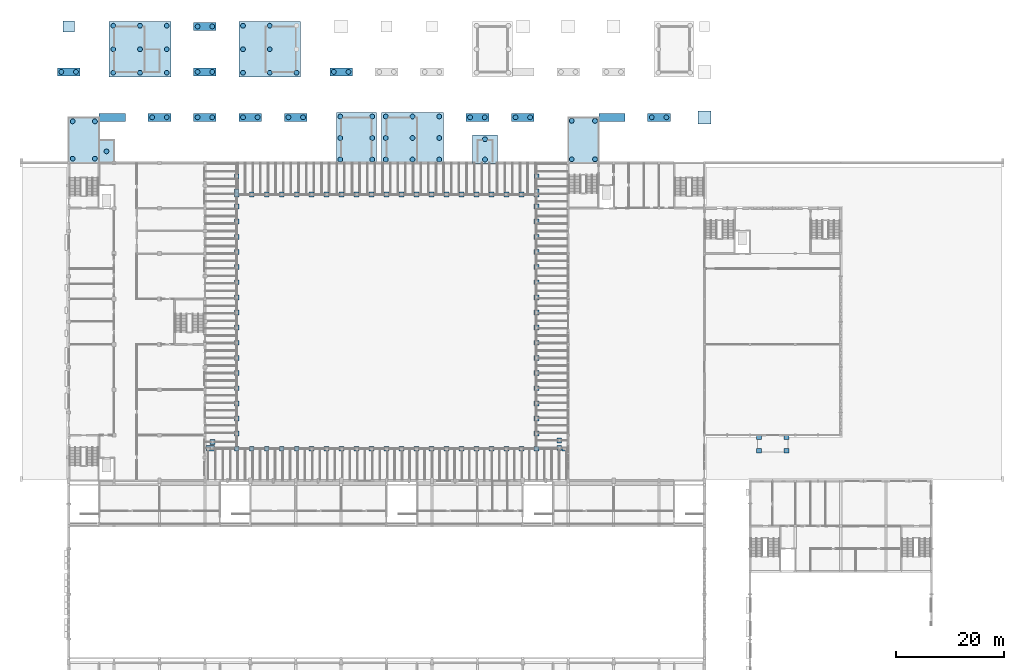
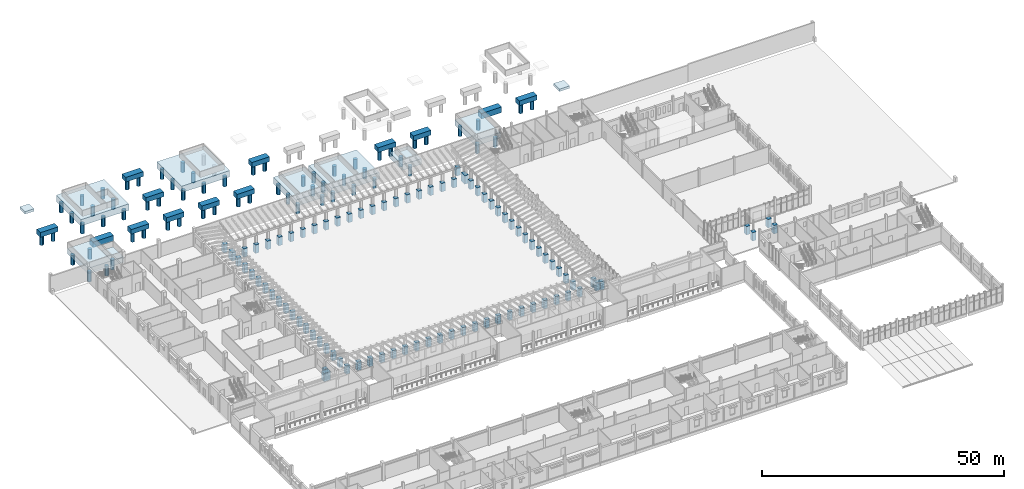
# One storey, part 1 of 60: 108 footings, 64 piles.
"""IFC4 building model written with IfcOpenShell, lengths in metres."""

import ifcopenshell
import ifcopenshell.guid

model = None  # the IFC model being written
_history = None  # IfcOwnerHistory: only IFC2X3 demands one
_inside = {}  # id of a spatial element -> (the spatial element, [elements in it])
_under = {}  # id of a project, library or spatial element -> (it, [spatial elements below it])
_declared = {}  # id of a project -> (the project, [libraries it declares])
_typed = {}  # id of a type object -> (the type object, [elements of that type])
_made_of = {}  # id of a material, layer set ... -> (it, [elements and type objects made of it])


def new_model(schema):
    """Start an empty IFC model of exactly this schema.

    Asked for "IFC4X3", IfcOpenShell would pick the latest addendum, in which some entities
    have other attributes; the version numbers below select the first issue.
    IFC2X3 requires an IfcOwnerHistory on every rooted entity: one is made here for all.
    """
    global model, _history
    if schema == "IFC4X3":
        model = ifcopenshell.file(schema_version=(4, 3, 0, 0))
    else:
        model = ifcopenshell.file(schema=schema)
    _inside.clear()
    _under.clear()
    _declared.clear()
    _typed.clear()
    _made_of.clear()
    _history = None
    if model.schema == "IFC2X3":
        org = make("IfcOrganization", Name="unknown")
        user = make(
            "IfcPersonAndOrganization",
            ThePerson=make("IfcPerson", FamilyName="unknown"),
            TheOrganization=org,
        )
        app = make(
            "IfcApplication",
            ApplicationDeveloper=org,
            Version="unknown",
            ApplicationFullName="unknown",
            ApplicationIdentifier="unknown",
        )
        _history = make(
            "IfcOwnerHistory",
            OwningUser=user,
            OwningApplication=app,
            ChangeAction="ADDED",
            CreationDate=0,
        )
    return model


def make(cls, **values):
    """One entity of the class cls with the attributes given. An attribute that is None is left unset."""
    return model.create_entity(
        cls, **{name: value for name, value in values.items() if value is not None}
    )


def rooted(cls, **values):
    """An entity with a GlobalId (a new one), such as an element, a storey or a relation."""
    return make(cls, GlobalId=ifcopenshell.guid.new(), OwnerHistory=_history, **values)


def si_unit(unit_type, name, prefix=None):
    """IfcSIUnit, for example si_unit("LENGTHUNIT", "METRE", prefix="MILLI")."""
    return make("IfcSIUnit", UnitType=unit_type, Prefix=prefix, Name=name)


def assignment(units):
    """IfcUnitAssignment: the units of a project."""
    return None if units is None else make("IfcUnitAssignment", Units=units)


def point(xyz):
    """IfcCartesianPoint."""
    return None if xyz is None else make("IfcCartesianPoint", Coordinates=xyz)


def direction(xyz):
    """IfcDirection."""
    return None if xyz is None else make("IfcDirection", DirectionRatios=xyz)


def frame(location, z_axis=None, x_axis=None):
    """IfcAxis2Placement3D, a coordinate frame: its origin and axes. An axis left out is left unset."""
    return make(
        "IfcAxis2Placement3D",
        Location=point(location),
        Axis=direction(z_axis),
        RefDirection=direction(x_axis),
    )


def frame_2d(location, x_axis=None):
    """IfcAxis2Placement2D, a coordinate frame in the plane: its origin and x axis."""
    return make(
        "IfcAxis2Placement2D", Location=point(location), RefDirection=direction(x_axis)
    )


def origin():
    """The frame at (0, 0, 0) with its axes left unset."""
    return frame((0.0, 0.0, 0.0))


def origin_2d():
    """The frame at (0, 0) in the plane with its x axis left unset."""
    return frame_2d((0.0, 0.0))


def place(relative_to, where):
    """IfcLocalPlacement: puts the frame where relative to a parent placement (None: the world)."""
    return make(
        "IfcLocalPlacement", PlacementRelTo=relative_to, RelativePlacement=where
    )


def context(
    kind, dimensions, precision=None, world=None, true_north=None, identifier=None
):
    """IfcGeometricRepresentationContext, for example the 3D "Model" context."""
    return make(
        "IfcGeometricRepresentationContext",
        ContextIdentifier=identifier,
        ContextType=kind,
        CoordinateSpaceDimension=dimensions,
        Precision=precision,
        WorldCoordinateSystem=world,
        TrueNorth=true_north,
    )


def subcontext(parent, identifier, kind, view, scale=None):
    """IfcGeometricRepresentationSubContext, for example "Body" below "Model"."""
    return make(
        "IfcGeometricRepresentationSubContext",
        ContextIdentifier=identifier,
        ContextType=kind,
        ParentContext=parent,
        TargetScale=scale,
        TargetView=view,
    )


def project(units=None, contexts=None):
    """IfcProject with its units and contexts."""
    return rooted(
        "IfcProject",
        Name="project",
        RepresentationContexts=contexts,
        UnitsInContext=assignment(units),
    )


def spatial(cls, under=None, at=None, **own):
    """A site, building, storey or space (cls), placed at a placement, below another one or the project."""
    s = rooted(cls, ObjectPlacement=at, **own)
    if under is not None:
        _under.setdefault(under.id(), (under, []))[1].append(s)
    return s


def polyline(points):
    """IfcPolyline through the points."""
    return make("IfcPolyline", Points=[point(p) for p in points])


def profile(cls, at=None, kind="AREA", **sizes):
    """A parametric profile (cls). Its sizes go by their IFC names, for example OverallWidth=200.0."""
    return make(cls, ProfileType=kind, Position=at, **sizes)


def rectangle(**sizes):
    """IfcRectangleProfileDef."""
    return profile("IfcRectangleProfileDef", **sizes)


def circle(**sizes):
    """IfcCircleProfileDef."""
    return profile("IfcCircleProfileDef", **sizes)


def outline(outer, holes=None, kind="AREA"):
    """IfcArbitraryClosedProfileDef: a profile drawn as a closed curve; with holes, ...WithVoids."""
    if holes is None:
        return make("IfcArbitraryClosedProfileDef", ProfileType=kind, OuterCurve=outer)
    return make(
        "IfcArbitraryProfileDefWithVoids",
        ProfileType=kind,
        OuterCurve=outer,
        InnerCurves=holes,
    )


def extrude(swept, where, along, depth):
    """IfcExtrudedAreaSolid: the profile swept, set in the frame where, extruded along a direction by depth."""
    return make(
        "IfcExtrudedAreaSolid",
        SweptArea=swept,
        Position=where,
        ExtrudedDirection=direction(along),
        Depth=depth,
    )


def shape(context_of_items, identifier, shape_type, items):
    """IfcShapeRepresentation: the items that make up one representation, for example the "Body"."""
    return make(
        "IfcShapeRepresentation",
        ContextOfItems=context_of_items,
        RepresentationIdentifier=identifier,
        RepresentationType=shape_type,
        Items=items,
    )


def material(Name=None, Category=None):
    """IfcMaterial."""
    return make("IfcMaterial", Name=Name, Category=Category)


def material_profile(
    of_material, cross_section, Name=None, Category=None, Priority=None
):
    """IfcMaterialProfile: a cross section and its material."""
    return make(
        "IfcMaterialProfile",
        Name=Name,
        Material=of_material,
        Profile=cross_section,
        Priority=Priority,
        Category=Category,
    )


def profile_set(profiles, Name=None, composite=None):
    """IfcMaterialProfileSet."""
    return make(
        "IfcMaterialProfileSet",
        Name=Name,
        MaterialProfiles=profiles,
        CompositeProfile=composite,
    )


def made_of(thing, what):
    """Note that an element or type object is made of a material, layer set ...; save() writes the relation."""
    if what is not None:
        _made_of.setdefault(what.id(), (what, []))[1].append(thing)
    return thing


def type_object(cls, material=None, **own):
    """A type object (cls), such as IfcWallType, which elements share."""
    return made_of(rooted(cls, **own), material)


def element(
    cls,
    number,
    at=None,
    inside=None,
    cuts=None,
    type_object=None,
    material=None,
    context=None,
    identifier="Body",
    shape_type=None,
    held_by="IfcProductDefinitionShape",
    body=None,
    shapes=None,
    **own,
):
    """One element of the class cls, such as IfcWall. Its Tag is "e" and its number.

    at: its placement. inside: the storey or other place that contains it. cuts: it is an
    opening in that element (IfcRelVoidsElement). A single representation is given by context,
    identifier, shape_type and body (its items); several are given by shapes. held_by: the class
    of the entity that holds the representations. save() writes the other relations.
    """
    e = rooted(cls, Tag="e%d" % number, ObjectPlacement=at, **own)
    if body is not None:
        shapes = [shape(context, identifier, shape_type, body)]
    if shapes is not None:
        e.Representation = make(held_by, Representations=shapes)
    if inside is not None:
        _inside.setdefault(inside.id(), (inside, []))[1].append(e)
    if cuts is not None:
        rooted(
            "IfcRelVoidsElement", RelatingBuildingElement=cuts, RelatedOpeningElement=e
        )
    if type_object is not None:
        _typed.setdefault(type_object.id(), (type_object, []))[1].append(e)
    return made_of(e, material)


def aggregate(whole, parts):
    """IfcRelAggregates: a whole, such as a stair, and the parts it consists of."""
    return rooted("IfcRelAggregates", RelatingObject=whole, RelatedObjects=parts)


def save(model, path):
    """Write the relations noted so far, then the file.

    IfcRelAggregates (storeys below a building ...), IfcRelContainedInSpatialStructure (elements
    in a storey), IfcRelDefinesByType, IfcRelAssociatesMaterial and IfcRelDeclares: one each for
    every whole, place, type object, material and project.
    """
    for whole, parts in _under.values():
        aggregate(whole, parts)
    for where, things in _inside.values():
        rooted(
            "IfcRelContainedInSpatialStructure",
            RelatedElements=things,
            RelatingStructure=where,
        )
    for kind, things in _typed.values():
        rooted("IfcRelDefinesByType", RelatedObjects=things, RelatingType=kind)
    for what, things in _made_of.values():
        rooted("IfcRelAssociatesMaterial", RelatedObjects=things, RelatingMaterial=what)
    for by, libraries in _declared.values():
        rooted("IfcRelDeclares", RelatingContext=by, RelatedDefinitions=libraries)
    model.write(path)


model = new_model("IFC4")

# Units and contexts
model_context = context("Model", 3, precision=1e-05, world=origin(), true_north=direction((0.0, 1.0)))
body_context = subcontext(model_context, "Body", "Model", "MODEL_VIEW")
ifc_project = project(units=[si_unit("LENGTHUNIT", "METRE"), si_unit("AREAUNIT", "SQUARE_METRE"), si_unit("VOLUMEUNIT", "CUBIC_METRE"), si_unit("PLANEANGLEUNIT", "RADIAN"), si_unit("MASSUNIT", "GRAM", prefix="KILO")], contexts=[model_context])

# Site, building, storey
site_placement = place(None, origin())
site = spatial("IfcSite", under=ifc_project, at=site_placement, CompositionType="ELEMENT")
building_placement = place(site_placement, origin())
building = spatial("IfcBuilding", under=site, at=building_placement, Name="Fescue Hill Polytechnic", CompositionType="ELEMENT")
storey_placement = place(building_placement, frame((0.0, 0.0, 4.5)))
storey = spatial("IfcBuildingStorey", under=building, at=storey_placement, Name="L01", CompositionType="ELEMENT", Elevation=4.5)

# Piles
ifc_material = material(Name="Concrete 35 MPa", Category="concrete")
ifc_material_profile = material_profile(ifc_material, circle(Radius=0.449951171875, at=origin_2d()), Name="Bored pile 900")
ifc_profile_set = profile_set([ifc_material_profile], Name="Concrete 35 MPa")
pile_type = type_object("IfcPileType", Name="Bored pile 900", PredefinedType="BORED", material=ifc_profile_set)
for number, where, z_axis, x_axis, name in (
    (1, (-1.35009765625, 126.0, 1.89990234375), (0.0, 0.0, -1.0), (1.0, 0.0, 0.0), "PL-L01-001-01"),
    (2, (1.35009765625, 126.0, 1.89990234375), (0.0, 0.0, -1.0), (1.0, 0.0, 0.0), "PL-L01-001-02"),
    (3, (0.75, 109.949951171875, 1.699951171875), (0.0, 0.0, -1.0), (1.0, 0.0, 0.0), "PL-L01-003-01"),
    (4, (4.85009765625, 109.949951171875, 1.699951171875), (0.0, 0.0, -1.0), (1.0, 0.0, 0.0), "PL-L01-003-02"),
    (5, (0.75, 116.85009765625, 1.699951171875), (0.0, 0.0, -1.0), (1.0, 0.0, 0.0), "PL-L01-003-03"),
    (6, (4.85009765625, 116.85009765625, 1.699951171875), (0.0, 0.0, -1.0), (1.0, 0.0, 0.0), "PL-L01-003-04"),
    (7, (7.0, 111.300048828125, 1.699951171875), (0.0, 0.0, -1.0), (1.0, 0.0, 0.0), "PL-L01-004-01"),
    (8, (8.25, 125.85009765625, 1.5), (0.0, 0.0, -1.0), (1.0, 0.0, 0.0), "PL-L01-006-01"),
    (9, (13.199951171875, 125.85009765625, 1.5), (0.0, 0.0, -1.0), (1.0, 0.0, 0.0), "PL-L01-006-02"),
    (10, (18.14990234375, 125.85009765625, 1.5), (0.0, 0.0, -1.0), (1.0, 0.0, 0.0), "PL-L01-006-03"),
    (11, (8.25, 130.199951171875, 1.5), (0.0, 0.0, -1.0), (1.0, 0.0, 0.0), "PL-L01-006-04"),
    (12, (13.199951171875, 130.199951171875, 1.5), (0.0, 0.0, -1.0), (1.0, 0.0, 0.0), "PL-L01-006-05"),
    (13, (18.14990234375, 130.199951171875, 1.5), (0.0, 0.0, -1.0), (1.0, 0.0, 0.0), "PL-L01-006-06"),
    (14, (8.25, 134.550048828125, 1.5), (0.0, 0.0, -1.0), (1.0, 0.0, 0.0), "PL-L01-006-07"),
    (15, (13.199951171875, 134.550048828125, 1.5), (0.0, 0.0, -1.0), (1.0, 0.0, 0.0), "PL-L01-006-08"),
    (16, (18.14990234375, 134.550048828125, 1.5), (0.0, 0.0, -1.0), (1.0, 0.0, 0.0), "PL-L01-006-09"),
    (17, (15.449951171875, 117.60009765625, 1.89990234375), (0.0, 0.0, -1.0), (1.0, 0.0, 0.0), "PL-L01-007-01"),
    (18, (18.14990234375, 117.60009765625, 1.89990234375), (0.0, 0.0, -1.0), (1.0, 0.0, 0.0), "PL-L01-007-02"),
    (19, (23.85009765625, 117.60009765625, 1.89990234375), (0.0, 0.0, -1.0), (1.0, 0.0, 0.0), "PL-L01-008-01"),
    (20, (26.550048828125, 117.60009765625, 1.89990234375), (0.0, 0.0, -1.0), (1.0, 0.0, 0.0), "PL-L01-008-02"),
    (21, (23.85009765625, 126.0, 1.89990234375), (0.0, 0.0, -1.0), (1.0, 0.0, 0.0), "PL-L01-009-01"),
    (22, (26.550048828125, 126.0, 1.89990234375), (0.0, 0.0, -1.0), (1.0, 0.0, 0.0), "PL-L01-009-02"),
    (23, (23.85009765625, 134.39990234375, 1.89990234375), (0.0, 0.0, -1.0), (1.0, 0.0, 0.0), "PL-L01-010-01"),
    (24, (26.550048828125, 134.39990234375, 1.89990234375), (0.0, 0.0, -1.0), (1.0, 0.0, 0.0), "PL-L01-010-02"),
    (25, (32.25, 117.60009765625, 1.89990234375), (0.0, 0.0, -1.0), (1.0, 0.0, 0.0), "PL-L01-011-01"),
    (26, (34.949951171875, 117.60009765625, 1.89990234375), (0.0, 0.0, -1.0), (1.0, 0.0, 0.0), "PL-L01-011-02"),
    (27, (32.25, 125.85009765625, 1.5), (0.0, 0.0, -1.0), (1.0, 0.0, 0.0), "PL-L01-012-01"),
    (28, (37.199951171875, 125.85009765625, 1.5), (0.0, 0.0, -1.0), (1.0, 0.0, 0.0), "PL-L01-012-02"),
    (29, (42.14990234375, 125.85009765625, 1.5), (0.0, 0.0, -1.0), (1.0, 0.0, 0.0), "PL-L01-012-03"),
    (30, (32.25, 130.199951171875, 1.5), (0.0, 0.0, -1.0), (1.0, 0.0, 0.0), "PL-L01-012-04"),
    (31, (37.199951171875, 130.199951171875, 1.5), (0.0, 0.0, -1.0), (1.0, 0.0, 0.0), "PL-L01-012-05"),
    (32, (32.25, 134.550048828125, 1.5), (0.0, 0.0, -1.0), (1.0, 0.0, 0.0), "PL-L01-012-07"),
    (33, (37.199951171875, 134.550048828125, 1.5), (0.0, 0.0, -1.0), (1.0, 0.0, 0.0), "PL-L01-012-08"),
    (34, (40.64990234375, 117.60009765625, 1.89990234375), (0.0, 0.0, -1.0), (1.0, 0.0, 0.0), "PL-L01-013-01"),
    (35, (43.35009765625, 117.60009765625, 1.89990234375), (0.0, 0.0, -1.0), (1.0, 0.0, 0.0), "PL-L01-013-02"),
    (36, (49.050048828125, 126.0, 1.89990234375), (0.0, 0.0, -1.0), (1.0, 0.0, 0.0), "PL-L01-014-01"),
    (37, (51.75, 126.0, 1.89990234375), (0.0, 0.0, -1.0), (1.0, 0.0, 0.0), "PL-L01-014-02"),
    (38, (50.25, 109.800048828125, 1.5), (0.0, 0.0, -1.0), (1.0, 0.0, 0.0), "PL-L01-016-01"),
    (39, (56.14990234375, 109.800048828125, 1.5), (0.0, 0.0, -1.0), (1.0, 0.0, 0.0), "PL-L01-016-02"),
    (40, (50.25, 113.77490234375, 1.5), (0.0, 0.0, -1.0), (1.0, 0.0, 0.0), "PL-L01-016-03"),
    (41, (56.14990234375, 113.77490234375, 1.5), (0.0, 0.0, -1.0), (1.0, 0.0, 0.0), "PL-L01-016-04"),
    (42, (50.25, 117.75, 1.5), (0.0, 0.0, -1.0), (1.0, 0.0, 0.0), "PL-L01-016-05"),
    (43, (56.14990234375, 117.75, 1.5), (0.0, 0.0, -1.0), (1.0, 0.0, 0.0), "PL-L01-016-06"),
    (44, (58.64990234375, 109.800048828125, 1.5), (0.0, 0.0, -1.0), (1.0, 0.0, 0.0), "PL-L01-019-01"),
    (45, (63.60009765625, 109.800048828125, 1.5), (0.0, 0.0, -1.0), (1.0, 0.0, 0.0), "PL-L01-019-02"),
    (46, (68.550048828125, 109.800048828125, 1.5), (0.0, 0.0, -1.0), (1.0, 0.0, 0.0), "PL-L01-019-03"),
    (47, (58.64990234375, 113.77490234375, 1.5), (0.0, 0.0, -1.0), (1.0, 0.0, 0.0), "PL-L01-019-04"),
    (48, (63.60009765625, 113.77490234375, 1.5), (0.0, 0.0, -1.0), (1.0, 0.0, 0.0), "PL-L01-019-05"),
    (49, (68.550048828125, 113.77490234375, 1.5), (0.0, 0.0, -1.0), (1.0, 0.0, 0.0), "PL-L01-019-06"),
    (50, (58.64990234375, 117.75, 1.5), (0.0, 0.0, -1.0), (1.0, 0.0, 0.0), "PL-L01-019-07"),
    (51, (63.60009765625, 117.75, 1.5), (0.0, 0.0, -1.0), (1.0, 0.0, 0.0), "PL-L01-019-08"),
    (52, (68.550048828125, 117.75, 1.5), (0.0, 0.0, -1.0), (1.0, 0.0, 0.0), "PL-L01-019-09"),
    (53, (74.25, 117.60009765625, 1.89990234375), (0.0, 0.0, -1.0), (1.0, 0.0, 0.0), "PL-L01-022-01"),
    (54, (76.949951171875, 117.60009765625, 1.89990234375), (0.0, 0.0, -1.0), (1.0, 0.0, 0.0), "PL-L01-022-02"),
    (55, (77.0, 109.800048828125, 1.699951171875), (0.0, 0.0, -1.0), (1.0, 0.0, 0.0), "PL-L01-023-01"),
    (56, (77.0, 113.550048828125, 1.699951171875), (0.0, 0.0, -1.0), (1.0, 0.0, 0.0), "PL-L01-023-02"),
    (57, (82.64990234375, 117.60009765625, 1.89990234375), (0.0, 0.0, -1.0), (1.0, 0.0, 0.0), "PL-L01-025-01"),
    (58, (85.35009765625, 117.60009765625, 1.89990234375), (0.0, 0.0, -1.0), (1.0, 0.0, 0.0), "PL-L01-025-02"),
    (59, (93.050048828125, 109.85009765625, 1.699951171875), (0.0, 0.0, -1.0), (1.0, 0.0, 0.0), "PL-L01-030-01"),
    (60, (97.35009765625, 109.85009765625, 1.699951171875), (0.0, 0.0, -1.0), (1.0, 0.0, 0.0), "PL-L01-030-02"),
    (61, (93.050048828125, 116.949951171875, 1.699951171875), (0.0, 0.0, -1.0), (1.0, 0.0, 0.0), "PL-L01-030-03"),
    (62, (97.35009765625, 116.949951171875, 1.699951171875), (0.0, 0.0, -1.0), (1.0, 0.0, 0.0), "PL-L01-030-04"),
    (63, (107.85009765625, 117.60009765625, 1.89990234375), (0.0, 0.0, -1.0), (1.0, 0.0, 0.0), "PL-L01-034-01"),
    (64, (110.550048828125, 117.60009765625, 1.89990234375), (0.0, 0.0, -1.0), (1.0, 0.0, 0.0), "PL-L01-034-02"),
):
    element("IfcPile", number, at=place(storey_placement, frame(where, z_axis=z_axis, x_axis=x_axis)), inside=storey, type_object=pile_type, Name=name, PredefinedType="BORED", context=body_context, shape_type="SweptSolid", body=[
        extrude(circle(Radius=0.449951171875, at=origin_2d()), origin(), (0.0, 0.0, 1.0), 2.5),
    ])

# Footings
footing_type_1 = type_object("IfcFootingType", Name="Canopy pad footing 900x900x2100", PredefinedType="PAD_FOOTING", material=ifc_material)
for number, where, z_axis, x_axis, name in (
    (65, (127.64990234375, 58.43994140625, -2.10009765625), (0.0, 0.0, 1.0), (1.0, 0.0, 0.0), "Canopy pad footing V2"),
    (66, (127.64990234375, 55.93994140625, -2.10009765625), (0.0, 0.0, 1.0), (1.0, 0.0, 0.0), "Canopy pad footing V2"),
    (67, (132.75, 58.43994140625, -2.10009765625), (0.0, 0.0, 1.0), (1.0, 0.0, 0.0), "Canopy pad footing V2"),
    (68, (132.75, 55.93994140625, -2.10009765625), (0.0, 0.0, 1.0), (1.0, 0.0, 0.0), "Canopy pad footing V2"),
):
    element("IfcFooting", number, at=place(storey_placement, frame(where, z_axis=z_axis, x_axis=x_axis)), inside=storey, type_object=footing_type_1, Name=name, PredefinedType="PAD_FOOTING", context=body_context, shape_type="SweptSolid", body=[
        extrude(rectangle(XDim=0.89990234375, YDim=0.89990234375, at=origin_2d()), origin(), (0.0, 0.0, 1.0), 2.10009765625),
    ])
footing_type_2 = type_object("IfcFootingType", Name="Pad footing 2100x2100x600", PredefinedType="PAD_FOOTING", material=ifc_material)
footing_1_placement = place(storey_placement, frame((0.0, 0.0, 2.39990234375)))
element("IfcFooting", 69, at=footing_1_placement, inside=storey, type_object=footing_type_2, Name="FT-L01-002", PredefinedType="PAD_FOOTING", context=body_context, shape_type="SweptSolid", body=[
    extrude(outline(polyline([(1.050048828125, 133.35009765625), (1.050048828125, 135.449951171875), (-1.050048828125, 135.449951171875), (-1.050048828125, 133.35009765625), (1.050048828125, 133.35009765625)])), origin(), (0.0, 0.0, 1.0), 0.60009765625),
])
footing_type_3 = type_object("IfcFootingType", Name="Pad footing 2400x2400x600", PredefinedType="PAD_FOOTING", material=ifc_material)
footing_2_placement = place(storey_placement, frame((0.0, 0.0, 2.39990234375)))
element("IfcFooting", 70, at=footing_2_placement, inside=storey, type_object=footing_type_3, Name="FT-L01-036", PredefinedType="PAD_FOOTING", context=body_context, shape_type="SweptSolid", body=[
    extrude(outline(polyline([(118.800048828125, 116.39990234375), (118.800048828125, 118.800048828125), (116.39990234375, 118.800048828125), (116.39990234375, 116.39990234375), (118.800048828125, 116.39990234375)])), origin(), (0.0, 0.0, 1.0), 0.60009765625),
])
footing_type_4 = type_object("IfcFootingType", Name="Pile cap 11400x10200x1600 on 9 piles", PredefinedType="PILE_CAP", material=ifc_material)
footing_3_placement = place(storey_placement, frame((0.0, 0.0, 1.39990234375)))
element("IfcFooting", 71, at=footing_3_placement, inside=storey, type_object=footing_type_4, Name="FT-L01-006", PredefinedType="PILE_CAP", context=body_context, shape_type="SweptSolid", body=[
    extrude(outline(polyline([(18.89990234375, 125.10009765625), (18.89990234375, 135.300048828125), (7.5, 135.300048828125), (7.5, 125.10009765625), (18.89990234375, 125.10009765625)])), origin(), (0.0, 0.0, 1.0), 1.60009765625),
])
footing_4_placement = place(storey_placement, frame((0.0, 0.0, 1.39990234375)))
element("IfcFooting", 72, at=footing_4_placement, inside=storey, type_object=footing_type_4, Name="FT-L01-012", PredefinedType="PILE_CAP", context=body_context, shape_type="SweptSolid", body=[
    extrude(outline(polyline([(42.89990234375, 125.10009765625), (42.89990234375, 135.300048828125), (31.5, 135.300048828125), (31.5, 125.10009765625), (42.89990234375, 125.10009765625)])), origin(), (0.0, 0.0, 1.0), 1.60009765625),
])
footing_type_5 = type_object("IfcFootingType", Name="Pile cap 11400x9450x1600 on 9 piles", PredefinedType="PILE_CAP", material=ifc_material)
footing_5_placement = place(storey_placement, frame((0.0, 0.0, 1.39990234375)))
element("IfcFooting", 73, at=footing_5_placement, inside=storey, type_object=footing_type_5, Name="FT-L01-019", PredefinedType="PILE_CAP", context=body_context, shape_type="SweptSolid", body=[
    extrude(outline(polyline([(69.300048828125, 109.050048828125), (69.300048828125, 118.5), (57.89990234375, 118.5), (57.89990234375, 109.050048828125), (69.300048828125, 109.050048828125)])), origin(), (0.0, 0.0, 1.0), 1.60009765625),
])
footing_type_6 = type_object("IfcFootingType", Name="Pile cap 2800x4200x1400 on 1 piles", PredefinedType="PILE_CAP", material=ifc_material)
footing_6_placement = place(storey_placement, frame((0.0, 0.0, 1.60009765625)))
element("IfcFooting", 74, at=footing_6_placement, inside=storey, type_object=footing_type_6, Name="FT-L01-004", PredefinedType="PILE_CAP", context=body_context, shape_type="SweptSolid", body=[
    extrude(outline(polyline([(8.39990234375, 109.199951171875), (8.39990234375, 113.39990234375), (5.60009765625, 113.39990234375), (5.60009765625, 109.199951171875), (8.39990234375, 109.199951171875)])), origin(), (0.0, 0.0, 1.0), 1.39990234375),
])
footing_type_7 = type_object("IfcFootingType", Name="Pile cap 4200x1500x1200 on 2 piles", PredefinedType="PILE_CAP", material=ifc_material)
footing_7_placement = place(storey_placement, frame((0.0, 0.0, 1.800048828125)))
element("IfcFooting", 75, at=footing_7_placement, inside=storey, type_object=footing_type_7, Name="FT-L01-001", PredefinedType="PILE_CAP", context=body_context, shape_type="SweptSolid", body=[
    extrude(outline(polyline([(2.10009765625, 125.25), (2.10009765625, 126.75), (-2.10009765625, 126.75), (-2.10009765625, 125.25), (2.10009765625, 125.25)])), origin(), (0.0, 0.0, 1.0), 1.199951171875),
])
footing_8_placement = place(storey_placement, frame((0.0, 0.0, 1.800048828125)))
element("IfcFooting", 76, at=footing_8_placement, inside=storey, type_object=footing_type_7, Name="FT-L01-007", PredefinedType="PILE_CAP", context=body_context, shape_type="SweptSolid", body=[
    extrude(outline(polyline([(18.89990234375, 116.85009765625), (18.89990234375, 118.35009765625), (14.699951171875, 118.35009765625), (14.699951171875, 116.85009765625), (18.89990234375, 116.85009765625)])), origin(), (0.0, 0.0, 1.0), 1.199951171875),
])
footing_9_placement = place(storey_placement, frame((0.0, 0.0, 1.800048828125)))
element("IfcFooting", 77, at=footing_9_placement, inside=storey, type_object=footing_type_7, Name="FT-L01-008", PredefinedType="PILE_CAP", context=body_context, shape_type="SweptSolid", body=[
    extrude(outline(polyline([(27.300048828125, 116.85009765625), (27.300048828125, 118.35009765625), (23.10009765625, 118.35009765625), (23.10009765625, 116.85009765625), (27.300048828125, 116.85009765625)])), origin(), (0.0, 0.0, 1.0), 1.199951171875),
])
footing_10_placement = place(storey_placement, frame((0.0, 0.0, 1.800048828125)))
element("IfcFooting", 78, at=footing_10_placement, inside=storey, type_object=footing_type_7, Name="FT-L01-009", PredefinedType="PILE_CAP", context=body_context, shape_type="SweptSolid", body=[
    extrude(outline(polyline([(27.300048828125, 125.25), (27.300048828125, 126.75), (23.10009765625, 126.75), (23.10009765625, 125.25), (27.300048828125, 125.25)])), origin(), (0.0, 0.0, 1.0), 1.199951171875),
])
footing_11_placement = place(storey_placement, frame((0.0, 0.0, 1.800048828125)))
element("IfcFooting", 79, at=footing_11_placement, inside=storey, type_object=footing_type_7, Name="FT-L01-010", PredefinedType="PILE_CAP", context=body_context, shape_type="SweptSolid", body=[
    extrude(outline(polyline([(27.300048828125, 133.64990234375), (27.300048828125, 135.14990234375), (23.10009765625, 135.14990234375), (23.10009765625, 133.64990234375), (27.300048828125, 133.64990234375)])), origin(), (0.0, 0.0, 1.0), 1.199951171875),
])
footing_12_placement = place(storey_placement, frame((0.0, 0.0, 1.800048828125)))
element("IfcFooting", 80, at=footing_12_placement, inside=storey, type_object=footing_type_7, Name="FT-L01-011", PredefinedType="PILE_CAP", context=body_context, shape_type="SweptSolid", body=[
    extrude(outline(polyline([(35.699951171875, 116.85009765625), (35.699951171875, 118.35009765625), (31.5, 118.35009765625), (31.5, 116.85009765625), (35.699951171875, 116.85009765625)])), origin(), (0.0, 0.0, 1.0), 1.199951171875),
])
footing_13_placement = place(storey_placement, frame((0.0, 0.0, 1.800048828125)))
element("IfcFooting", 81, at=footing_13_placement, inside=storey, type_object=footing_type_7, Name="FT-L01-013", PredefinedType="PILE_CAP", context=body_context, shape_type="SweptSolid", body=[
    extrude(outline(polyline([(44.10009765625, 116.85009765625), (44.10009765625, 118.35009765625), (39.89990234375, 118.35009765625), (39.89990234375, 116.85009765625), (44.10009765625, 116.85009765625)])), origin(), (0.0, 0.0, 1.0), 1.199951171875),
])
footing_14_placement = place(storey_placement, frame((0.0, 0.0, 1.800048828125)))
element("IfcFooting", 82, at=footing_14_placement, inside=storey, type_object=footing_type_7, Name="FT-L01-014", PredefinedType="PILE_CAP", context=body_context, shape_type="SweptSolid", body=[
    extrude(outline(polyline([(52.5, 125.25), (52.5, 126.75), (48.300048828125, 126.75), (48.300048828125, 125.25), (52.5, 125.25)])), origin(), (0.0, 0.0, 1.0), 1.199951171875),
])
footing_15_placement = place(storey_placement, frame((0.0, 0.0, 1.800048828125)))
element("IfcFooting", 83, at=footing_15_placement, inside=storey, type_object=footing_type_7, Name="FT-L01-022", PredefinedType="PILE_CAP", context=body_context, shape_type="SweptSolid", body=[
    extrude(outline(polyline([(77.699951171875, 116.85009765625), (77.699951171875, 118.35009765625), (73.5, 118.35009765625), (73.5, 116.85009765625), (77.699951171875, 116.85009765625)])), origin(), (0.0, 0.0, 1.0), 1.199951171875),
])
footing_16_placement = place(storey_placement, frame((0.0, 0.0, 1.800048828125)))
element("IfcFooting", 84, at=footing_16_placement, inside=storey, type_object=footing_type_7, Name="FT-L01-025", PredefinedType="PILE_CAP", context=body_context, shape_type="SweptSolid", body=[
    extrude(outline(polyline([(86.10009765625, 116.85009765625), (86.10009765625, 118.35009765625), (81.89990234375, 118.35009765625), (81.89990234375, 116.85009765625), (86.10009765625, 116.85009765625)])), origin(), (0.0, 0.0, 1.0), 1.199951171875),
])
footing_17_placement = place(storey_placement, frame((0.0, 0.0, 1.800048828125)))
element("IfcFooting", 85, at=footing_17_placement, inside=storey, type_object=footing_type_7, Name="FT-L01-034", PredefinedType="PILE_CAP", context=body_context, shape_type="SweptSolid", body=[
    extrude(outline(polyline([(111.300048828125, 116.85009765625), (111.300048828125, 118.35009765625), (107.10009765625, 118.35009765625), (107.10009765625, 116.85009765625), (111.300048828125, 116.85009765625)])), origin(), (0.0, 0.0, 1.0), 1.199951171875),
])
footing_type_8 = type_object("IfcFootingType", Name="Pile cap 4600x5250x1400 on 2 piles", PredefinedType="PILE_CAP", material=ifc_material)
footing_18_placement = place(storey_placement, frame((0.0, 0.0, 1.60009765625)))
element("IfcFooting", 86, at=footing_18_placement, inside=storey, type_object=footing_type_8, Name="FT-L01-023", PredefinedType="PILE_CAP", context=body_context, shape_type="SweptSolid", body=[
    extrude(outline(polyline([(74.699951171875, 114.300048828125), (79.300048828125, 114.300048828125), (79.300048828125, 109.050048828125), (74.699951171875, 109.050048828125), (74.699951171875, 114.300048828125)])), origin(), (0.0, 0.0, 1.0), 1.39990234375),
])
footing_type_9 = type_object("IfcFootingType", Name="Pile cap 5600x8400x1400 on 4 piles", PredefinedType="PILE_CAP", material=ifc_material)
footing_19_placement = place(storey_placement, frame((0.0, 0.0, 1.60009765625)))
element("IfcFooting", 87, at=footing_19_placement, inside=storey, type_object=footing_type_9, Name="FT-L01-003", PredefinedType="PILE_CAP", context=body_context, shape_type="SweptSolid", body=[
    extrude(outline(polyline([(5.60009765625, 109.199951171875), (5.60009765625, 117.60009765625), (0.0, 117.60009765625), (0.0, 109.199951171875), (5.60009765625, 109.199951171875)])), origin(), (0.0, 0.0, 1.0), 1.39990234375),
])
footing_type_10 = type_object("IfcFootingType", Name="Pile cap 5800x8600x1400 on 4 piles", PredefinedType="PILE_CAP", material=ifc_material)
footing_20_placement = place(storey_placement, frame((0.0, 0.0, 1.60009765625)))
element("IfcFooting", 88, at=footing_20_placement, inside=storey, type_object=footing_type_10, Name="FT-L01-030", PredefinedType="PILE_CAP", context=body_context, shape_type="SweptSolid", body=[
    extrude(outline(polyline([(98.10009765625, 109.10009765625), (98.10009765625, 117.699951171875), (92.300048828125, 117.699951171875), (92.300048828125, 109.10009765625), (98.10009765625, 109.10009765625)])), origin(), (0.0, 0.0, 1.0), 1.39990234375),
])
footing_type_11 = type_object("IfcFootingType", Name="Pile cap 7400x9450x1600 on 6 piles", PredefinedType="PILE_CAP", material=ifc_material)
footing_21_placement = place(storey_placement, frame((0.0, 0.0, 1.39990234375)))
element("IfcFooting", 89, at=footing_21_placement, inside=storey, type_object=footing_type_11, Name="FT-L01-016", PredefinedType="PILE_CAP", context=body_context, shape_type="SweptSolid", body=[
    extrude(outline(polyline([(49.5, 118.5), (56.89990234375, 118.5), (56.89990234375, 109.050048828125), (49.5, 109.050048828125), (49.5, 118.5)])), origin(), (0.0, 0.0, 1.0), 1.60009765625),
])
footing_type_12 = type_object("IfcFootingType", Name="Raft footing 4800x1500x1400", PredefinedType="PAD_FOOTING", material=ifc_material)
footing_22_placement = place(storey_placement, frame((0.0, 0.0, 1.60009765625)))
element("IfcFooting", 90, at=footing_22_placement, inside=storey, type_object=footing_type_12, Name="FT-L01-031", PredefinedType="PAD_FOOTING", context=body_context, shape_type="SweptSolid", body=[
    extrude(outline(polyline([(102.89990234375, 116.85009765625), (102.89990234375, 118.35009765625), (98.10009765625, 118.35009765625), (98.10009765625, 116.85009765625), (102.89990234375, 116.85009765625)])), origin(), (0.0, 0.0, 1.0), 1.39990234375),
])
footing_type_13 = type_object("IfcFootingType", Name="Raft footing 4900x1500x1400", PredefinedType="PAD_FOOTING", material=ifc_material)
footing_23_placement = place(storey_placement, frame((0.0, 0.0, 1.60009765625)))
element("IfcFooting", 91, at=footing_23_placement, inside=storey, type_object=footing_type_13, Name="FT-L01-005", PredefinedType="PAD_FOOTING", context=body_context, shape_type="SweptSolid", body=[
    extrude(outline(polyline([(10.5, 116.85009765625), (10.5, 118.35009765625), (5.60009765625, 118.35009765625), (5.60009765625, 116.85009765625), (10.5, 116.85009765625)])), origin(), (0.0, 0.0, 1.0), 1.39990234375),
])
footing_type_14 = type_object("IfcFootingType", Name="Veranda pad footing 1575x1065x2100", PredefinedType="PAD_FOOTING", material=ifc_material)
footing_24_placement = place(storey_placement, frame((26.1875, 56.382568359375, -2.10009765625), z_axis=(0.0, 0.0, 1.0), x_axis=(1.0, 0.0, 0.0)))
element("IfcFooting", 92, at=footing_24_placement, inside=storey, type_object=footing_type_14, Name="Veranda pad footing 1", PredefinedType="PAD_FOOTING", context=body_context, shape_type="SweptSolid", body=[
    extrude(rectangle(XDim=1.574951171875, YDim=1.06494140625, at=origin_2d()), origin(), (0.0, 0.0, 1.0), 2.10009765625),
])
footing_type_15 = type_object("IfcFootingType", Name="Veranda pad footing 900x1500x2100", PredefinedType="PAD_FOOTING", material=ifc_material)
for number, where, z_axis, x_axis, name in (
    (93, (31.10009765625, 103.60009765625, -2.10009765625), (0.0, 0.0, 1.0), (1.0, 0.0, 0.0), "Veranda pad footing 40"),
    (94, (86.5, 103.60009765625, -2.10009765625), (0.0, 0.0, 1.0), (1.0, 0.0, 0.0), "Veranda pad footing 60"),
):
    element("IfcFooting", number, at=place(storey_placement, frame(where, z_axis=z_axis, x_axis=x_axis)), inside=storey, type_object=footing_type_15, Name=name, PredefinedType="PAD_FOOTING", context=body_context, shape_type="SweptSolid", body=[
        extrude(rectangle(XDim=0.89990234375, YDim=1.5, at=origin_2d()), origin(), (0.0, 0.0, 1.0), 2.10009765625),
    ])
footing_type_16 = type_object("IfcFootingType", Name="Veranda pad footing 900x900x2100", PredefinedType="PAD_FOOTING", material=ifc_material)
for number, where, z_axis, x_axis, name in (
    (95, (31.10009765625, 56.300048828125, -2.10009765625), (0.0, 0.0, 1.0), (1.0, 0.0, 0.0), "Veranda pad footing 2"),
    (96, (33.8701171875, 56.300048828125, -2.10009765625), (0.0, 0.0, 1.0), (1.0, 0.0, 0.0), "Veranda pad footing 3"),
    (97, (36.639892578125, 56.300048828125, -2.10009765625), (0.0, 0.0, 1.0), (1.0, 0.0, 0.0), "Veranda pad footing 4"),
    (98, (39.409912109375, 56.300048828125, -2.10009765625), (0.0, 0.0, 1.0), (1.0, 0.0, 0.0), "Veranda pad footing 5"),
    (99, (42.179931640625, 56.300048828125, -2.10009765625), (0.0, 0.0, 1.0), (1.0, 0.0, 0.0), "Veranda pad footing 6"),
    (100, (44.949951171875, 56.300048828125, -2.10009765625), (0.0, 0.0, 1.0), (1.0, 0.0, 0.0), "Veranda pad footing 7"),
    (101, (47.719970703125, 56.300048828125, -2.10009765625), (0.0, 0.0, 1.0), (1.0, 0.0, 0.0), "Veranda pad footing 8"),
    (102, (50.489990234375, 56.300048828125, -2.10009765625), (0.0, 0.0, 1.0), (1.0, 0.0, 0.0), "Veranda pad footing 9"),
    (103, (53.260009765625, 56.300048828125, -2.10009765625), (0.0, 0.0, 1.0), (1.0, 0.0, 0.0), "Veranda pad footing 10"),
    (104, (56.030029296875, 56.300048828125, -2.10009765625), (0.0, 0.0, 1.0), (1.0, 0.0, 0.0), "Veranda pad footing 11"),
    (105, (58.800048828125, 56.300048828125, -2.10009765625), (0.0, 0.0, 1.0), (1.0, 0.0, 0.0), "Veranda pad footing 12"),
    (106, (61.570068359375, 56.300048828125, -2.10009765625), (0.0, 0.0, 1.0), (1.0, 0.0, 0.0), "Veranda pad footing 13"),
    (107, (64.340087890625, 56.300048828125, -2.10009765625), (0.0, 0.0, 1.0), (1.0, 0.0, 0.0), "Veranda pad footing 14"),
    (108, (67.110107421875, 56.300048828125, -2.10009765625), (0.0, 0.0, 1.0), (1.0, 0.0, 0.0), "Veranda pad footing 15"),
    (109, (69.8798828125, 56.300048828125, -2.10009765625), (0.0, 0.0, 1.0), (1.0, 0.0, 0.0), "Veranda pad footing 16"),
    (110, (72.64990234375, 56.300048828125, -2.10009765625), (0.0, 0.0, 1.0), (1.0, 0.0, 0.0), "Veranda pad footing 17"),
    (111, (75.419921875, 56.300048828125, -2.10009765625), (0.0, 0.0, 1.0), (1.0, 0.0, 0.0), "Veranda pad footing 18"),
    (112, (78.18994140625, 56.300048828125, -2.10009765625), (0.0, 0.0, 1.0), (1.0, 0.0, 0.0), "Veranda pad footing 19"),
    (113, (80.9599609375, 56.300048828125, -2.10009765625), (0.0, 0.0, 1.0), (1.0, 0.0, 0.0), "Veranda pad footing 20"),
    (114, (83.72998046875, 56.300048828125, -2.10009765625), (0.0, 0.0, 1.0), (1.0, 0.0, 0.0), "Veranda pad footing 21"),
    (115, (86.5, 56.300048828125, -2.10009765625), (0.0, 0.0, 1.0), (1.0, 0.0, 0.0), "Veranda pad footing 22"),
    (116, (91.699951171875, 56.300048828125, -2.10009765625), (0.0, 0.0, 1.0), (1.0, 0.0, 0.0), "Veranda pad footing 23"),
    (117, (31.10009765625, 59.10009765625, -2.10009765625), (0.0, 0.0, 1.0), (1.0, 0.0, 0.0), "Veranda pad footing 24"),
    (118, (31.10009765625, 61.89990234375, -2.10009765625), (0.0, 0.0, 1.0), (1.0, 0.0, 0.0), "Veranda pad footing 25"),
    (119, (31.10009765625, 64.699951171875, -2.10009765625), (0.0, 0.0, 1.0), (1.0, 0.0, 0.0), "Veranda pad footing 26"),
    (120, (31.10009765625, 67.5, -2.10009765625), (0.0, 0.0, 1.0), (1.0, 0.0, 0.0), "Veranda pad footing 27"),
    (121, (31.10009765625, 70.300048828125, -2.10009765625), (0.0, 0.0, 1.0), (1.0, 0.0, 0.0), "Veranda pad footing 28"),
    (122, (31.10009765625, 73.10009765625, -2.10009765625), (0.0, 0.0, 1.0), (1.0, 0.0, 0.0), "Veranda pad footing 29"),
    (123, (31.10009765625, 75.89990234375, -2.10009765625), (0.0, 0.0, 1.0), (1.0, 0.0, 0.0), "Veranda pad footing 30"),
    (124, (31.10009765625, 78.699951171875, -2.10009765625), (0.0, 0.0, 1.0), (1.0, 0.0, 0.0), "Veranda pad footing 31"),
    (125, (31.10009765625, 81.5, -2.10009765625), (0.0, 0.0, 1.0), (1.0, 0.0, 0.0), "Veranda pad footing 32"),
    (126, (31.10009765625, 84.300048828125, -2.10009765625), (0.0, 0.0, 1.0), (1.0, 0.0, 0.0), "Veranda pad footing 33"),
    (127, (31.10009765625, 87.10009765625, -2.10009765625), (0.0, 0.0, 1.0), (1.0, 0.0, 0.0), "Veranda pad footing 34"),
    (128, (31.10009765625, 89.89990234375, -2.10009765625), (0.0, 0.0, 1.0), (1.0, 0.0, 0.0), "Veranda pad footing 35"),
    (129, (31.10009765625, 92.699951171875, -2.10009765625), (0.0, 0.0, 1.0), (1.0, 0.0, 0.0), "Veranda pad footing 36"),
    (130, (31.10009765625, 95.5, -2.10009765625), (0.0, 0.0, 1.0), (1.0, 0.0, 0.0), "Veranda pad footing 37"),
    (131, (31.10009765625, 98.300048828125, -2.10009765625), (0.0, 0.0, 1.0), (1.0, 0.0, 0.0), "Veranda pad footing 38"),
    (132, (31.10009765625, 101.10009765625, -2.10009765625), (0.0, 0.0, 1.0), (1.0, 0.0, 0.0), "Veranda pad footing 39"),
    (133, (31.10009765625, 106.699951171875, -2.10009765625), (0.0, 0.0, 1.0), (1.0, 0.0, 0.0), "Veranda pad footing 41"),
    (134, (26.60009765625, 57.550048828125, -2.10009765625), (0.0, 0.0, 1.0), (1.0, 0.0, 0.0), "Veranda pad footing 43"),
    (135, (86.5, 59.10009765625, -2.10009765625), (0.0, 0.0, 1.0), (1.0, 0.0, 0.0), "Veranda pad footing 44"),
    (136, (86.5, 61.89990234375, -2.10009765625), (0.0, 0.0, 1.0), (1.0, 0.0, 0.0), "Veranda pad footing 45"),
    (137, (86.5, 64.699951171875, -2.10009765625), (0.0, 0.0, 1.0), (1.0, 0.0, 0.0), "Veranda pad footing 46"),
    (138, (86.5, 67.5, -2.10009765625), (0.0, 0.0, 1.0), (1.0, 0.0, 0.0), "Veranda pad footing 47"),
    (139, (86.5, 70.300048828125, -2.10009765625), (0.0, 0.0, 1.0), (1.0, 0.0, 0.0), "Veranda pad footing 48"),
    (140, (86.5, 73.10009765625, -2.10009765625), (0.0, 0.0, 1.0), (1.0, 0.0, 0.0), "Veranda pad footing 49"),
    (141, (86.5, 75.89990234375, -2.10009765625), (0.0, 0.0, 1.0), (1.0, 0.0, 0.0), "Veranda pad footing 50"),
    (142, (86.5, 78.699951171875, -2.10009765625), (0.0, 0.0, 1.0), (1.0, 0.0, 0.0), "Veranda pad footing 51"),
    (143, (86.5, 81.5, -2.10009765625), (0.0, 0.0, 1.0), (1.0, 0.0, 0.0), "Veranda pad footing 52"),
    (144, (86.5, 84.300048828125, -2.10009765625), (0.0, 0.0, 1.0), (1.0, 0.0, 0.0), "Veranda pad footing 53"),
    (145, (86.5, 87.10009765625, -2.10009765625), (0.0, 0.0, 1.0), (1.0, 0.0, 0.0), "Veranda pad footing 54"),
    (146, (86.5, 89.89990234375, -2.10009765625), (0.0, 0.0, 1.0), (1.0, 0.0, 0.0), "Veranda pad footing 55"),
    (147, (86.5, 92.699951171875, -2.10009765625), (0.0, 0.0, 1.0), (1.0, 0.0, 0.0), "Veranda pad footing 56"),
    (148, (86.5, 95.5, -2.10009765625), (0.0, 0.0, 1.0), (1.0, 0.0, 0.0), "Veranda pad footing 57"),
    (149, (86.5, 98.300048828125, -2.10009765625), (0.0, 0.0, 1.0), (1.0, 0.0, 0.0), "Veranda pad footing 58"),
    (150, (86.5, 101.10009765625, -2.10009765625), (0.0, 0.0, 1.0), (1.0, 0.0, 0.0), "Veranda pad footing 59"),
    (151, (86.5, 106.699951171875, -2.10009765625), (0.0, 0.0, 1.0), (1.0, 0.0, 0.0), "Veranda pad footing 61"),
    (152, (90.75, 56.465087890625, -2.10009765625), (0.0, 0.0, 1.0), (1.0, 0.0, 0.0), "Veranda pad footing 62"),
    (153, (90.75, 57.846435546875, -2.10009765625), (0.0, 0.0, 1.0), (1.0, 0.0, 0.0), "Veranda pad footing 63"),
    (154, (33.8701171875, 103.300048828125, -2.10009765625), (0.0, 0.0, 1.0), (1.0, 0.0, 0.0), "Veranda pad footing 65"),
    (155, (36.639892578125, 103.300048828125, -2.10009765625), (0.0, 0.0, 1.0), (1.0, 0.0, 0.0), "Veranda pad footing 66"),
    (156, (39.409912109375, 103.300048828125, -2.10009765625), (0.0, 0.0, 1.0), (1.0, 0.0, 0.0), "Veranda pad footing 67"),
    (157, (42.179931640625, 103.300048828125, -2.10009765625), (0.0, 0.0, 1.0), (1.0, 0.0, 0.0), "Veranda pad footing 68"),
    (158, (44.949951171875, 103.300048828125, -2.10009765625), (0.0, 0.0, 1.0), (1.0, 0.0, 0.0), "Veranda pad footing 69"),
    (159, (47.719970703125, 103.300048828125, -2.10009765625), (0.0, 0.0, 1.0), (1.0, 0.0, 0.0), "Veranda pad footing 70"),
    (160, (50.489990234375, 103.300048828125, -2.10009765625), (0.0, 0.0, 1.0), (1.0, 0.0, 0.0), "Veranda pad footing 71"),
    (161, (53.260009765625, 103.300048828125, -2.10009765625), (0.0, 0.0, 1.0), (1.0, 0.0, 0.0), "Veranda pad footing 72"),
    (162, (56.030029296875, 103.300048828125, -2.10009765625), (0.0, 0.0, 1.0), (1.0, 0.0, 0.0), "Veranda pad footing 73"),
    (163, (58.800048828125, 103.300048828125, -2.10009765625), (0.0, 0.0, 1.0), (1.0, 0.0, 0.0), "Veranda pad footing 74"),
    (164, (61.570068359375, 103.300048828125, -2.10009765625), (0.0, 0.0, 1.0), (1.0, 0.0, 0.0), "Veranda pad footing 75"),
    (165, (64.340087890625, 103.300048828125, -2.10009765625), (0.0, 0.0, 1.0), (1.0, 0.0, 0.0), "Veranda pad footing 76"),
    (166, (67.110107421875, 103.300048828125, -2.10009765625), (0.0, 0.0, 1.0), (1.0, 0.0, 0.0), "Veranda pad footing 77"),
    (167, (69.8798828125, 103.300048828125, -2.10009765625), (0.0, 0.0, 1.0), (1.0, 0.0, 0.0), "Veranda pad footing 78"),
    (168, (72.64990234375, 103.300048828125, -2.10009765625), (0.0, 0.0, 1.0), (1.0, 0.0, 0.0), "Veranda pad footing 79"),
    (169, (75.419921875, 103.300048828125, -2.10009765625), (0.0, 0.0, 1.0), (1.0, 0.0, 0.0), "Veranda pad footing 80"),
    (170, (78.18994140625, 103.300048828125, -2.10009765625), (0.0, 0.0, 1.0), (1.0, 0.0, 0.0), "Veranda pad footing 81"),
    (171, (80.9599609375, 103.300048828125, -2.10009765625), (0.0, 0.0, 1.0), (1.0, 0.0, 0.0), "Veranda pad footing 82"),
    (172, (83.72998046875, 103.300048828125, -2.10009765625), (0.0, 0.0, 1.0), (1.0, 0.0, 0.0), "Veranda pad footing 83"),
):
    element("IfcFooting", number, at=place(storey_placement, frame(where, z_axis=z_axis, x_axis=x_axis)), inside=storey, type_object=footing_type_16, Name=name, PredefinedType="PAD_FOOTING", context=body_context, shape_type="SweptSolid", body=[
        extrude(rectangle(XDim=0.89990234375, YDim=0.89990234375, at=origin_2d()), origin(), (0.0, 0.0, 1.0), 2.10009765625),
    ])

save(model, "model.ifc")
